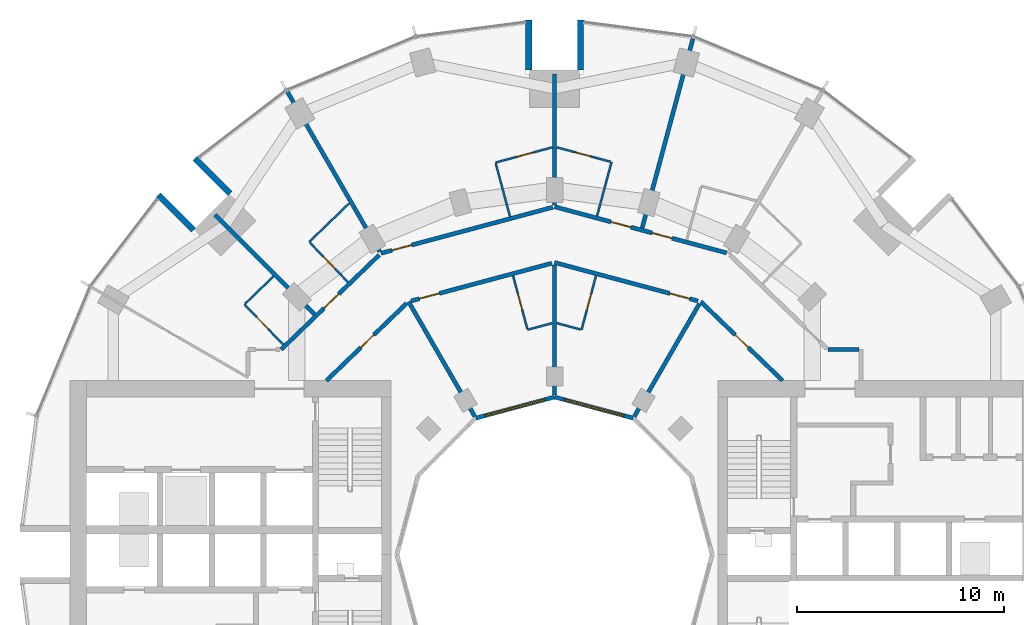
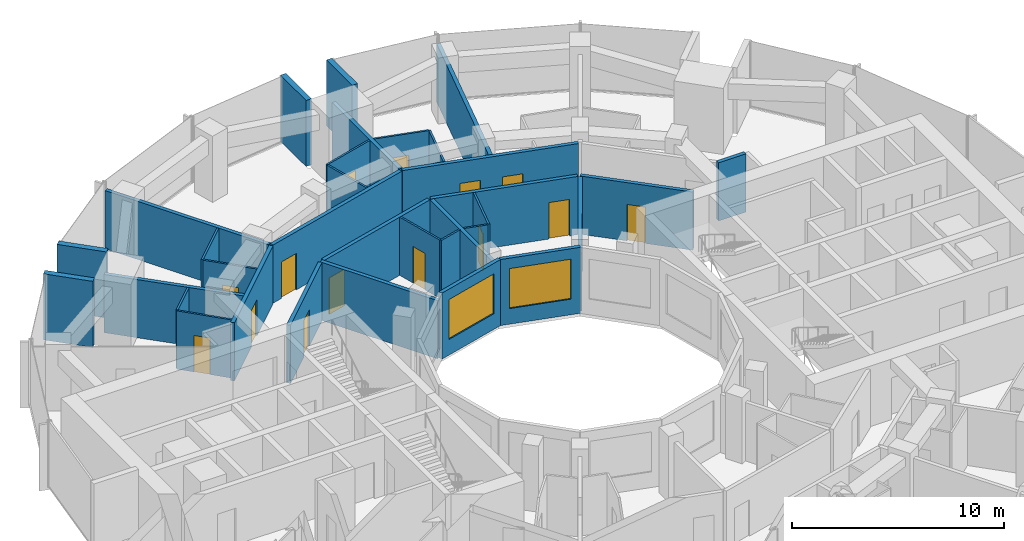
# One storey, part 12 of 15: 33 walls, 14 doors, 2 windows, 16 openings.
"""IFC4 building model written with IfcOpenShell, lengths in metres."""

from ifc_helpers import new_model, si_unit, direction, frame, frame_2d, origin, place, context, subcontext, project, spatial, rectangle, extrude, material, layer, layer_set, type_object, element, fill, save


model = new_model("IFC4")

# Units and contexts
model_context = context("Model", 3, precision=1e-05, world=origin(), true_north=direction((0.0, 1.0)))
body_context = subcontext(model_context, "Body", "Model", "MODEL_VIEW")
ifc_project = project(units=[si_unit("LENGTHUNIT", "METRE"), si_unit("AREAUNIT", "SQUARE_METRE"), si_unit("VOLUMEUNIT", "CUBIC_METRE"), si_unit("PLANEANGLEUNIT", "RADIAN"), si_unit("MASSUNIT", "GRAM", prefix="KILO")], contexts=[model_context])

# Site, building, storey
site_placement = place(None, origin())
site = spatial("IfcSite", under=ifc_project, at=site_placement, CompositionType="ELEMENT")
building_placement = place(site_placement, origin())
building = spatial("IfcBuilding", under=site, at=building_placement, Name="Torre Brocal", CompositionType="ELEMENT")
storey_placement = place(building_placement, frame((0.0, 0.0, 59.199951171875)))
storey = spatial("IfcBuildingStorey", under=building, at=storey_placement, Name="L13", CompositionType="ELEMENT", Elevation=59.199951171875)

# Walls
ifc_material_1 = material(Name="Concrete C80", Category="concrete")
ifc_layer_1 = layer(ifc_material_1, 0.300048828125)
ifc_layer_set_1 = layer_set([ifc_layer_1], Name="Concrete C80")
wall_type_1 = type_object("IfcWallType", Name="NOTCH RETURN WALL 300 C80", PredefinedType="NOTDEFINED", material=ifc_layer_set_1)
for number, where, z_axis, x_axis, name in (
    (1, (81.25, 98.39990234375, 0.0), (0.0, 0.0, 1.0), (0.0, 1.0, 0.0), "NOTCH RETURN WALL"),
    (2, (78.75, 98.39990234375, 0.0), (0.0, 0.0, 1.0), (0.0, 1.0, 0.0), "NOTCH RETURN WALL"),
    (3, (64.337646484375, 92.43017578125, 0.0), (0.0, 0.0, 1.0), (-0.707106781187, 0.707106781187, 0.0), "NOTCH RETURN WALL"),
    (4, (62.56982421875, 90.662353515625, 0.0), (0.0, 0.0, 1.0), (-0.707106781187, 0.707106781187, 0.0), "NOTCH RETURN WALL"),
):
    element("IfcWall", number, at=place(storey_placement, frame(where, z_axis=z_axis, x_axis=x_axis)), inside=storey, type_object=wall_type_1, Name=name, PredefinedType="NOTDEFINED", context=body_context, shape_type="SweptSolid", body=[
        extrude(rectangle(XDim=2.415771484375, YDim=0.300048828125, at=frame_2d((1.2080078125, 0.0))), origin(), (0.0, 0.0, 1.0), 3.800048828125),
    ])
ifc_material_2 = material(Name="Gypsum board", Category="Gypsum")
ifc_layer_2 = layer(ifc_material_2, 0.10009765625)
ifc_layer_set_2 = layer_set([ifc_layer_2], Name="Gypsum board")
wall_type_2 = type_object("IfcWallType", Name="PARTITION 100", PredefinedType="PARTITIONING", material=ifc_layer_set_2)
wall_1_placement = place(storey_placement, frame((65.058837890625, 87.11376953125, 0.0), z_axis=(0.0, 0.0, 1.0), x_axis=(0.719715847356, 0.694268751324, 0.0)))
element("IfcWall", 5, at=wall_1_placement, inside=storey, type_object=wall_type_2, Name="BATHROOM WALL", PredefinedType="PARTITIONING", context=body_context, shape_type="SweptSolid", body=[
    extrude(rectangle(XDim=1.899658203125, YDim=0.10009765625, at=frame_2d((0.94970703125, 0.0))), origin(), (0.0, 0.0, 1.0), 3.35009765625),
])

# Wall, opening, door
wall_2_placement = place(storey_placement, frame((65.02294921875, 87.0791015625, 0.0), z_axis=(0.0, 0.0, 1.0), x_axis=(0.694287838235, -0.719697434815, 0.0)))
wall_2 = element("IfcWall", 6, at=wall_2_placement, inside=storey, type_object=wall_type_2, Name="BATHROOM WALL", PredefinedType="PARTITIONING", context=body_context, shape_type="SweptSolid", body=[
    extrude(rectangle(XDim=2.699951171875, YDim=0.10009765625, at=frame_2d((1.35009765625, 0.0))), origin(), (0.0, 0.0, 1.0), 3.35009765625),
])
opening_1_placement = place(wall_2_placement, frame((0.849853515625, 0.0, 0.0)))
opening_1 = element("IfcOpeningElement", 7, at=opening_1_placement, cuts=wall_2, Name="Opening H03-D12", PredefinedType="OPENING", context=body_context, shape_type="SweptSolid", body=[
    extrude(rectangle(XDim=0.800048828125, YDim=2.10009765625, at=frame_2d((0.39990234375, 1.050048828125))), frame((0.0, 0.06005859375, 0.0), z_axis=(0.0, -1.0, 0.0), x_axis=(1.0, 0.0, 0.0)), (0.0, 0.0, 1.0), 0.1201171875),
])
ifc_material_3 = material(Name="Timber", Category="wood")
door_type_1 = type_object("IfcDoorType", Name="BATHROOM DOOR 800X2100", OperationType="SINGLE_SWING_LEFT", PredefinedType="DOOR", material=ifc_material_3)
door_1_placement = place(opening_1_placement, origin())
door_1 = element("IfcDoor", 8, at=door_1_placement, inside=storey, type_object=door_type_1, Name="H03-D12", OperationType="SINGLE_SWING_LEFT", OverallHeight=2.10009765625, OverallWidth=0.800048828125, PredefinedType="DOOR", context=body_context, shape_type="SweptSolid", body=[
    extrude(rectangle(XDim=0.800048828125, YDim=2.10009765625, at=frame_2d((0.39990234375, 1.050048828125))), frame((0.0, 0.02490234375, 0.0), z_axis=(0.0, -1.0, 0.0), x_axis=(1.0, 0.0, 0.0)), (0.0, 0.0, 1.0), 0.050048828125),
])
fill(opening_1, door_1)

wall_3_placement = place(storey_placement, frame((68.184814453125, 90.06005859375, 0.0), z_axis=(0.0, 0.0, 1.0), x_axis=(0.69446127412, -0.719530081892, 0.0)))
wall_3 = element("IfcWall", 9, at=wall_3_placement, inside=storey, type_object=wall_type_2, Name="BATHROOM WALL", PredefinedType="PARTITIONING", context=body_context, shape_type="SweptSolid", body=[
    extrude(rectangle(XDim=2.64892578125, YDim=0.10009765625, at=frame_2d((1.324462890625, 0.0))), origin(), (0.0, 0.0, 1.0), 3.35009765625),
])
opening_2_placement = place(wall_3_placement, frame((0.94970703125, 0.0, 0.0)))
opening_2 = element("IfcOpeningElement", 10, at=opening_2_placement, cuts=wall_3, Name="Opening H03-D10", PredefinedType="OPENING", context=body_context, shape_type="SweptSolid", body=[
    extrude(rectangle(XDim=0.800048828125, YDim=2.10009765625, at=frame_2d((0.39990234375, 1.050048828125))), frame((0.0, 0.06005859375, 0.0), z_axis=(0.0, -1.0, 0.0), x_axis=(1.0, 0.0, 0.0)), (0.0, 0.0, 1.0), 0.1201171875),
])
door_2_placement = place(opening_2_placement, origin())
door_2 = element("IfcDoor", 11, at=door_2_placement, inside=storey, type_object=door_type_1, Name="H03-D10", OperationType="SINGLE_SWING_RIGHT", OverallHeight=2.10009765625, OverallWidth=0.800048828125, PredefinedType="DOOR", context=body_context, shape_type="SweptSolid", body=[
    extrude(rectangle(XDim=0.800048828125, YDim=2.10009765625, at=frame_2d((0.39990234375, 1.050048828125))), frame((0.0, 0.02490234375, 0.0), z_axis=(0.0, -1.0, 0.0), x_axis=(1.0, 0.0, 0.0)), (0.0, 0.0, 1.0), 0.050048828125),
])
fill(opening_2, door_2)

# Walls
wall_4_placement = place(storey_placement, frame((68.150146484375, 90.095947265625, 0.0), z_axis=(0.0, 0.0, 1.0), x_axis=(0.719667544954, 0.694318820672, 0.0)))
element("IfcWall", 12, at=wall_4_placement, inside=storey, type_object=wall_type_2, Name="BATHROOM WALL", PredefinedType="PARTITIONING", context=body_context, shape_type="SweptSolid", body=[
    extrude(rectangle(XDim=2.68701171875, YDim=0.10009765625, at=frame_2d((1.343505859375, 0.0))), origin(), (0.0, 0.0, 1.0), 3.35009765625),
])
wall_5_placement = place(storey_placement, frame((77.161865234375, 93.8828125, 0.0), z_axis=(0.0, 0.0, 1.0), x_axis=(0.258998589493, -0.965877699629, 0.0)))
element("IfcWall", 13, at=wall_5_placement, inside=storey, type_object=wall_type_2, Name="BATHROOM WALL", PredefinedType="PARTITIONING", context=body_context, shape_type="SweptSolid", body=[
    extrude(rectangle(XDim=2.649658203125, YDim=0.10009765625, at=frame_2d((1.32470703125, 0.0))), origin(), (0.0, 0.0, 1.0), 3.35009765625),
])

# Wall, opening, door
wall_6_placement = place(storey_placement, frame((77.14892578125, 93.930908203125, 0.0), z_axis=(0.0, 0.0, 1.0), x_axis=(0.965916219953, 0.258854893776, 0.0)))
wall_6 = element("IfcWall", 14, at=wall_6_placement, inside=storey, type_object=wall_type_2, Name="BATHROOM WALL", PredefinedType="PARTITIONING", context=body_context, shape_type="SweptSolid", body=[
    extrude(rectangle(XDim=2.841796875, YDim=0.10009765625, at=frame_2d((1.4208984375, 0.0))), origin(), (0.0, 0.0, 1.0), 3.35009765625),
])
opening_3_placement = place(wall_6_placement, frame((1.07568359375, 0.0, 0.0)))
opening_3 = element("IfcOpeningElement", 15, at=opening_3_placement, cuts=wall_6, Name="Opening H03-D08", PredefinedType="OPENING", context=body_context, shape_type="SweptSolid", body=[
    extrude(rectangle(XDim=0.800048828125, YDim=2.10009765625, at=frame_2d((0.39990234375, 1.050048828125))), frame((0.0, 0.06005859375, 0.0), z_axis=(0.0, -1.0, 0.0), x_axis=(1.0, 0.0, 0.0)), (0.0, 0.0, 1.0), 0.1201171875),
])
door_3_placement = place(opening_3_placement, frame((0.800048828125, 0.0, 0.0), z_axis=(0.0, 0.0, 1.0), x_axis=(-1.0, 0.0, 0.0)))
door_3 = element("IfcDoor", 16, at=door_3_placement, inside=storey, type_object=door_type_1, Name="H03-D08", OperationType="SINGLE_SWING_LEFT", OverallHeight=2.10009765625, OverallWidth=0.800048828125, PredefinedType="DOOR", context=body_context, shape_type="SweptSolid", body=[
    extrude(rectangle(XDim=0.800048828125, YDim=2.10009765625, at=frame_2d((0.39990234375, 1.050048828125))), frame((0.0, 0.02490234375, 0.0), z_axis=(0.0, -1.0, 0.0), x_axis=(1.0, 0.0, 0.0)), (0.0, 0.0, 1.0), 0.050048828125),
])
fill(opening_3, door_3)

wall_7_placement = place(storey_placement, frame((77.997802734375, 88.46337890625, 0.0), z_axis=(0.0, 0.0, 1.0), x_axis=(0.258677737588, -0.965963678446, 0.0)))
wall_7 = element("IfcWall", 17, at=wall_7_placement, inside=storey, type_object=wall_type_2, Name="BATHROOM WALL", PredefinedType="PARTITIONING", context=body_context, shape_type="SweptSolid", body=[
    extrude(rectangle(XDim=2.649169921875, YDim=0.10009765625, at=frame_2d((1.32470703125, 0.0))), origin(), (0.0, 0.0, 1.0), 3.35009765625),
])
opening_4_placement = place(wall_7_placement, frame((0.899658203125, 0.0, 0.0)))
opening_4 = element("IfcOpeningElement", 18, at=opening_4_placement, cuts=wall_7, Name="Opening H03-D18", PredefinedType="OPENING", context=body_context, shape_type="SweptSolid", body=[
    extrude(rectangle(XDim=0.800048828125, YDim=2.10009765625, at=frame_2d((0.39990234375, 1.050048828125))), frame((0.0, 0.06005859375, 0.0), z_axis=(0.0, -1.0, 0.0), x_axis=(1.0, 0.0, 0.0)), (0.0, 0.0, 1.0), 0.1201171875),
])
door_4_placement = place(opening_4_placement, origin())
door_4 = element("IfcDoor", 19, at=door_4_placement, inside=storey, type_object=door_type_1, Name="H03-D18", OperationType="SINGLE_SWING_LEFT", OverallHeight=2.10009765625, OverallWidth=0.800048828125, PredefinedType="DOOR", context=body_context, shape_type="SweptSolid", body=[
    extrude(rectangle(XDim=0.800048828125, YDim=2.10009765625, at=frame_2d((0.39990234375, 1.050048828125))), frame((0.0, 0.02490234375, 0.0), z_axis=(0.0, -1.0, 0.0), x_axis=(1.0, 0.0, 0.0)), (0.0, 0.0, 1.0), 0.050048828125),
])
fill(opening_4, door_4)

# Walls
wall_8_placement = place(storey_placement, frame((78.696044921875, 85.85595703125, 0.0), z_axis=(0.0, 0.0, 1.0), x_axis=(0.966002513606, 0.258532674351, 0.0)))
element("IfcWall", 20, at=wall_8_placement, inside=storey, type_object=wall_type_2, Name="BATHROOM WALL", PredefinedType="PARTITIONING", context=body_context, shape_type="SweptSolid", body=[
    extrude(rectangle(XDim=1.239990234375, YDim=0.10009765625, at=frame_2d((0.6201171875, 0.0))), origin(), (0.0, 0.0, 1.0), 3.35009765625),
])
wall_9_placement = place(storey_placement, frame((80.106201171875, 86.176513671875, 0.0), z_axis=(0.0, 0.0, 1.0), x_axis=(0.966002973184, -0.258530957139, 0.0)))
element("IfcWall", 21, at=wall_9_placement, inside=storey, type_object=wall_type_2, Name="BATHROOM WALL", PredefinedType="PARTITIONING", context=body_context, shape_type="SweptSolid", body=[
    extrude(rectangle(XDim=1.18994140625, YDim=0.10009765625, at=frame_2d((0.594970703125, 0.0))), origin(), (0.0, 0.0, 1.0), 3.35009765625),
])

# Wall, opening, door
wall_10_placement = place(storey_placement, frame((80.106201171875, 94.666748046875, 0.0), z_axis=(0.0, 0.0, 1.0), x_axis=(0.965904298007, -0.258899376382, 0.0)))
wall_10 = element("IfcWall", 22, at=wall_10_placement, inside=storey, type_object=wall_type_2, Name="BATHROOM WALL", PredefinedType="PARTITIONING", context=body_context, shape_type="SweptSolid", body=[
    extrude(rectangle(XDim=2.6904296875, YDim=0.10009765625, at=frame_2d((1.34521484375, 0.0))), origin(), (0.0, 0.0, 1.0), 3.35009765625),
])
opening_5_placement = place(wall_10_placement, frame((0.9150390625, 0.0, 0.0)))
opening_5 = element("IfcOpeningElement", 23, at=opening_5_placement, cuts=wall_10, Name="Opening H03-D06", PredefinedType="OPENING", context=body_context, shape_type="SweptSolid", body=[
    extrude(rectangle(XDim=0.800048828125, YDim=2.10009765625, at=frame_2d((0.39990234375, 1.050048828125))), frame((0.0, 0.06005859375, 0.0), z_axis=(0.0, -1.0, 0.0), x_axis=(1.0, 0.0, 0.0)), (0.0, 0.0, 1.0), 0.1201171875),
])
door_5_placement = place(opening_5_placement, frame((0.800048828125, 0.0, 0.0), z_axis=(0.0, 0.0, 1.0), x_axis=(-1.0, 0.0, 0.0)))
door_5 = element("IfcDoor", 24, at=door_5_placement, inside=storey, type_object=door_type_1, Name="H03-D06", OperationType="SINGLE_SWING_RIGHT", OverallHeight=2.10009765625, OverallWidth=0.800048828125, PredefinedType="DOOR", context=body_context, shape_type="SweptSolid", body=[
    extrude(rectangle(XDim=0.800048828125, YDim=2.10009765625, at=frame_2d((0.39990234375, 1.050048828125))), frame((0.0, 0.02490234375, 0.0), z_axis=(0.0, -1.0, 0.0), x_axis=(1.0, 0.0, 0.0)), (0.0, 0.0, 1.0), 0.050048828125),
])
fill(opening_5, door_5)

wall_11_placement = place(storey_placement, frame((81.303955078125, 85.85595703125, 0.0), z_axis=(0.0, 0.0, 1.0), x_axis=(0.25867580527, 0.965964195904, 0.0)))
wall_11 = element("IfcWall", 25, at=wall_11_placement, inside=storey, type_object=wall_type_2, Name="BATHROOM WALL", PredefinedType="PARTITIONING", context=body_context, shape_type="SweptSolid", body=[
    extrude(rectangle(XDim=2.69921875, YDim=0.10009765625, at=frame_2d((1.349609375, 0.0))), origin(), (0.0, 0.0, 1.0), 3.35009765625),
])
opening_6_placement = place(wall_11_placement, frame((0.99951171875, 0.0, 0.0)))
opening_6 = element("IfcOpeningElement", 26, at=opening_6_placement, cuts=wall_11, Name="Opening H03-D16", PredefinedType="OPENING", context=body_context, shape_type="SweptSolid", body=[
    extrude(rectangle(XDim=0.800048828125, YDim=2.10009765625, at=frame_2d((0.39990234375, 1.050048828125))), frame((0.0, 0.06005859375, 0.0), z_axis=(0.0, -1.0, 0.0), x_axis=(1.0, 0.0, 0.0)), (0.0, 0.0, 1.0), 0.1201171875),
])
door_6_placement = place(opening_6_placement, origin())
door_6 = element("IfcDoor", 27, at=door_6_placement, inside=storey, type_object=door_type_1, Name="H03-D16", OperationType="SINGLE_SWING_RIGHT", OverallHeight=2.10009765625, OverallWidth=0.800048828125, PredefinedType="DOOR", context=body_context, shape_type="SweptSolid", body=[
    extrude(rectangle(XDim=0.800048828125, YDim=2.10009765625, at=frame_2d((0.39990234375, 1.050048828125))), frame((0.0, 0.02490234375, 0.0), z_axis=(0.0, -1.0, 0.0), x_axis=(1.0, 0.0, 0.0)), (0.0, 0.0, 1.0), 0.050048828125),
])
fill(opening_6, door_6)

# Walls
wall_12_placement = place(storey_placement, frame((82.053955078125, 91.349609375, 0.0), z_axis=(0.0, 0.0, 1.0), x_axis=(0.258928960762, 0.965896367774, 0.0)))
element("IfcWall", 28, at=wall_12_placement, inside=storey, type_object=wall_type_2, Name="BATHROOM WALL", PredefinedType="PARTITIONING", context=body_context, shape_type="SweptSolid", body=[
    extrude(rectangle(XDim=2.699462890625, YDim=0.10009765625, at=frame_2d((1.349609375, 0.0))), origin(), (0.0, 0.0, 1.0), 3.35009765625),
])
ifc_material_4 = material(Name="Gypsum board", Category="Gypsum")
ifc_layer_3 = layer(ifc_material_4, 0.199951171875)
ifc_layer_set_3 = layer_set([ifc_layer_3], Name="Gypsum board")
wall_type_3 = type_object("IfcWallType", Name="PARTITION 200 EI60", PredefinedType="PARTITIONING", material=ifc_layer_set_3)
wall_13_placement = place(storey_placement, frame((63.598388671875, 91.408203125, 0.0), z_axis=(0.0, 0.0, 1.0), x_axis=(0.706999146394, -0.707214399597, 0.0)))
element("IfcWall", 29, at=wall_13_placement, inside=storey, type_object=wall_type_3, Name="BATHROOM WALL", PredefinedType="PARTITIONING", context=body_context, shape_type="SweptSolid", body=[
    extrude(rectangle(XDim=6.80517578125, YDim=0.199951171875, at=frame_2d((3.402587890625, 0.0))), origin(), (0.0, 0.0, 1.0), 3.35009765625),
])

# Wall, opening, door
wall_14_placement = place(storey_placement, frame((66.796630859375, 84.900390625, 0.0), z_axis=(0.0, 0.0, 1.0), x_axis=(0.719692092412, 0.694293376116, 0.0)))
wall_14 = element("IfcWall", 30, at=wall_14_placement, inside=storey, type_object=wall_type_3, Name="GUESTROOM CORRIDOR WALL", PredefinedType="PARTITIONING", context=body_context, shape_type="SweptSolid", body=[
    extrude(rectangle(XDim=6.58447265625, YDim=0.199951171875, at=frame_2d((3.292236328125, 0.0))), origin(), (0.0, 0.0, 1.0), 3.35009765625),
])
opening_7_placement = place(wall_14_placement, frame((2.8662109375, 0.0, 0.0)))
opening_7 = element("IfcOpeningElement", 31, at=opening_7_placement, cuts=wall_14, Name="Opening H03-D09", PredefinedType="OPENING", context=body_context, shape_type="SweptSolid", body=[
    extrude(rectangle(XDim=1.0, YDim=2.10009765625, at=frame_2d((0.5, 1.050048828125))), frame((0.0, 0.10986328125, 0.0), z_axis=(0.0, -1.0, 0.0), x_axis=(1.0, 0.0, 0.0)), (0.0, 0.0, 1.0), 0.219970703125),
])
ifc_material_5 = material(Name="Timber", Category="wood")
door_type_2 = type_object("IfcDoorType", Name="FLAT ENTRY DOOR FD30S 1000X2100", OperationType="SINGLE_SWING_RIGHT", PredefinedType="DOOR", material=ifc_material_5)
door_7_placement = place(opening_7_placement, origin())
door_7 = element("IfcDoor", 32, at=door_7_placement, inside=storey, type_object=door_type_2, Name="H03-D09", OperationType="SINGLE_SWING_LEFT", OverallHeight=2.10009765625, OverallWidth=1.0, PredefinedType="DOOR", context=body_context, shape_type="SweptSolid", body=[
    extrude(rectangle(XDim=1.0, YDim=2.10009765625, at=frame_2d((0.5, 1.050048828125))), frame((0.0, 0.02490234375, 0.0), z_axis=(0.0, -1.0, 0.0), x_axis=(1.0, 0.0, 0.0)), (0.0, 0.0, 1.0), 0.050048828125),
])
fill(opening_7, door_7)

# Wall
wall_15_placement = place(storey_placement, frame((67.102783203125, 97.34228515625, 0.0), z_axis=(0.0, 0.0, 1.0), x_axis=(0.499906738326, -0.866079241742, 0.0)))
element("IfcWall", 33, at=wall_15_placement, inside=storey, type_object=wall_type_3, Name="BATHROOM WALL", PredefinedType="PARTITIONING", context=body_context, shape_type="SweptSolid", body=[
    extrude(rectangle(XDim=8.906982421875, YDim=0.199951171875, at=frame_2d((4.45361328125, 0.0))), origin(), (0.0, 0.0, 1.0), 3.35009765625),
])

# Wall, opening, door
wall_16_placement = place(storey_placement, frame((68.987060546875, 83.39990234375, 0.0), z_axis=(0.0, 0.0, 1.0), x_axis=(0.719547721855, 0.694442996922, 0.0)))
wall_16 = element("IfcWall", 34, at=wall_16_placement, inside=storey, type_object=wall_type_3, Name="CORRIDOR WALL", PredefinedType="PARTITIONING", context=body_context, shape_type="SweptSolid", body=[
    extrude(rectangle(XDim=5.3779296875, YDim=0.199951171875, at=frame_2d((2.68896484375, 0.0))), origin(), (0.0, 0.0, 1.0), 3.35009765625),
])
opening_8_placement = place(wall_16_placement, frame((2.2939453125, 0.0, 0.0)))
opening_8 = element("IfcOpeningElement", 35, at=opening_8_placement, cuts=wall_16, Name="Opening H03-D19", PredefinedType="OPENING", context=body_context, shape_type="SweptSolid", body=[
    extrude(rectangle(XDim=0.89990234375, YDim=2.10009765625, at=frame_2d((0.449951171875, 1.050048828125))), frame((0.0, 0.10986328125, 0.0), z_axis=(0.0, -1.0, 0.0), x_axis=(1.0, 0.0, 0.0)), (0.0, 0.0, 1.0), 0.219970703125),
])
ifc_material_6 = material(Name="Timber", Category="wood")
door_type_3 = type_object("IfcDoorType", Name="ROOM DOOR 900X2100", OperationType="SINGLE_SWING_LEFT", PredefinedType="DOOR", material=ifc_material_6)
door_8_placement = place(opening_8_placement, frame((0.89990234375, 0.0, 0.0), z_axis=(0.0, 0.0, 1.0), x_axis=(-1.0, 0.0, 0.0)))
door_8 = element("IfcDoor", 36, at=door_8_placement, inside=storey, type_object=door_type_3, Name="H03-D19", OperationType="SINGLE_SWING_RIGHT", OverallHeight=2.10009765625, OverallWidth=0.89990234375, PredefinedType="DOOR", context=body_context, shape_type="SweptSolid", body=[
    extrude(rectangle(XDim=0.89990234375, YDim=2.10009765625, at=frame_2d((0.449951171875, 1.050048828125))), frame((0.0, 0.02490234375, 0.0), z_axis=(0.0, -1.0, 0.0), x_axis=(1.0, 0.0, 0.0)), (0.0, 0.0, 1.0), 0.050048828125),
])
fill(opening_8, door_8)

wall_17_placement = place(storey_placement, frame((71.61376953125, 89.549560546875, 0.0), z_axis=(0.0, 0.0, 1.0), x_axis=(0.965967958589, 0.258661753994, 0.0)))
wall_17 = element("IfcWall", 37, at=wall_17_placement, inside=storey, type_object=wall_type_3, Name="GUESTROOM CORRIDOR WALL", PredefinedType="PARTITIONING", context=body_context, shape_type="SweptSolid", body=[
    extrude(rectangle(XDim=8.592041015625, YDim=0.199951171875, at=frame_2d((4.2958984375, 0.0))), origin(), (0.0, 0.0, 1.0), 3.35009765625),
])
opening_9_placement = place(wall_17_placement, frame((0.550048828125, 0.0, 0.0)))
opening_9 = element("IfcOpeningElement", 38, at=opening_9_placement, cuts=wall_17, Name="Opening H03-D07", PredefinedType="OPENING", context=body_context, shape_type="SweptSolid", body=[
    extrude(rectangle(XDim=1.0, YDim=2.10009765625, at=frame_2d((0.5, 1.050048828125))), frame((0.0, 0.10986328125, 0.0), z_axis=(0.0, -1.0, 0.0), x_axis=(1.0, 0.0, 0.0)), (0.0, 0.0, 1.0), 0.219970703125),
])
door_9_placement = place(opening_9_placement, origin())
door_9 = element("IfcDoor", 39, at=door_9_placement, inside=storey, type_object=door_type_2, Name="H03-D07", OperationType="SINGLE_SWING_LEFT", OverallHeight=2.10009765625, OverallWidth=1.0, PredefinedType="DOOR", context=body_context, shape_type="SweptSolid", body=[
    extrude(rectangle(XDim=1.0, YDim=2.10009765625, at=frame_2d((0.5, 1.050048828125))), frame((0.0, 0.02490234375, 0.0), z_axis=(0.0, -1.0, 0.0), x_axis=(1.0, 0.0, 0.0)), (0.0, 0.0, 1.0), 0.050048828125),
])
fill(opening_9, door_9)

wall_18_placement = place(storey_placement, frame((73.0712890625, 87.2470703125, 0.0), z_axis=(0.0, 0.0, 1.0), x_axis=(0.965931651205, 0.258797305243, 0.0)))
wall_18 = element("IfcWall", 40, at=wall_18_placement, inside=storey, type_object=wall_type_3, Name="GUESTROOM CORRIDOR WALL", PredefinedType="PARTITIONING", context=body_context, shape_type="SweptSolid", body=[
    extrude(rectangle(XDim=7.043212890625, YDim=0.199951171875, at=frame_2d((3.521484375, 0.0))), origin(), (0.0, 0.0, 1.0), 3.35009765625),
])
opening_10_placement = place(wall_18_placement, frame((0.409912109375, 0.0, 0.0)))
opening_10 = element("IfcOpeningElement", 41, at=opening_10_placement, cuts=wall_18, Name="Opening H03-D17", PredefinedType="OPENING", context=body_context, shape_type="SweptSolid", body=[
    extrude(rectangle(XDim=1.0, YDim=2.10009765625, at=frame_2d((0.5, 1.050048828125))), frame((0.0, 0.10986328125, 0.0), z_axis=(0.0, -1.0, 0.0), x_axis=(1.0, 0.0, 0.0)), (0.0, 0.0, 1.0), 0.219970703125),
])
door_10_placement = place(opening_10_placement, frame((1.0, 0.0, 0.0), z_axis=(0.0, 0.0, 1.0), x_axis=(-1.0, 0.0, 0.0)))
door_10 = element("IfcDoor", 42, at=door_10_placement, inside=storey, type_object=door_type_2, Name="H03-D17", OperationType="SINGLE_SWING_RIGHT", OverallHeight=2.10009765625, OverallWidth=1.0, PredefinedType="DOOR", context=body_context, shape_type="SweptSolid", body=[
    extrude(rectangle(XDim=1.0, YDim=2.10009765625, at=frame_2d((0.5, 1.050048828125))), frame((0.0, 0.02490234375, 0.0), z_axis=(0.0, -1.0, 0.0), x_axis=(1.0, 0.0, 0.0)), (0.0, 0.0, 1.0), 0.050048828125),
])
fill(opening_10, door_10)

# Walls
wall_19_placement = place(storey_placement, frame((72.94873046875, 87.21435546875, 0.0), z_axis=(0.0, 0.0, 1.0), x_axis=(0.499927021214, -0.866067534006, 0.0)))
element("IfcWall", 43, at=wall_19_placement, inside=storey, type_object=wall_type_3, Name="SERVICE ROOM WALL", PredefinedType="PARTITIONING", context=body_context, shape_type="SweptSolid", body=[
    extrude(rectangle(XDim=6.4052734375, YDim=0.199951171875, at=frame_2d((3.20263671875, 0.0))), origin(), (0.0, 0.0, 1.0), 3.35009765625),
])
wall_20_placement = place(storey_placement, frame((80.0, 82.698974609375, 0.0), z_axis=(0.0, 0.0, 1.0), x_axis=(0.0, 1.0, 0.0)))
element("IfcWall", 44, at=wall_20_placement, inside=storey, type_object=wall_type_3, Name="BATHROOM WALL", PredefinedType="PARTITIONING", context=body_context, shape_type="SweptSolid", body=[
    extrude(rectangle(XDim=6.275146484375, YDim=0.199951171875, at=frame_2d((3.1376953125, 0.0))), origin(), (0.0, 0.0, 1.0), 3.35009765625),
])

# Wall, opening, door
wall_21_placement = place(storey_placement, frame((80.0, 89.10400390625, 0.0), z_axis=(0.0, 0.0, 1.0), x_axis=(0.965856548257, -0.259077455964, 0.0)))
wall_21 = element("IfcWall", 45, at=wall_21_placement, inside=storey, type_object=wall_type_3, Name="GUESTROOM CORRIDOR WALL", PredefinedType="PARTITIONING", context=body_context, shape_type="SweptSolid", body=[
    extrude(rectangle(XDim=7.173095703125, YDim=0.199951171875, at=frame_2d((3.58642578125, 0.0))), origin(), (0.0, 0.0, 1.0), 3.35009765625),
])
opening_11_placement = place(wall_21_placement, frame((5.76318359375, 0.0, 0.0)))
opening_11 = element("IfcOpeningElement", 46, at=opening_11_placement, cuts=wall_21, Name="Opening H03-D15", PredefinedType="OPENING", context=body_context, shape_type="SweptSolid", body=[
    extrude(rectangle(XDim=1.0, YDim=2.10009765625, at=frame_2d((0.5, 1.050048828125))), frame((0.0, 0.10986328125, 0.0), z_axis=(0.0, -1.0, 0.0), x_axis=(1.0, 0.0, 0.0)), (0.0, 0.0, 1.0), 0.219970703125),
])
door_11_placement = place(opening_11_placement, frame((1.0, 0.0, 0.0), z_axis=(0.0, 0.0, 1.0), x_axis=(-1.0, 0.0, 0.0)))
door_11 = element("IfcDoor", 47, at=door_11_placement, inside=storey, type_object=door_type_2, Name="H03-D15", OperationType="SINGLE_SWING_LEFT", OverallHeight=2.10009765625, OverallWidth=1.0, PredefinedType="DOOR", context=body_context, shape_type="SweptSolid", body=[
    extrude(rectangle(XDim=1.0, YDim=2.10009765625, at=frame_2d((0.5, 1.050048828125))), frame((0.0, 0.02490234375, 0.0), z_axis=(0.0, -1.0, 0.0), x_axis=(1.0, 0.0, 0.0)), (0.0, 0.0, 1.0), 0.050048828125),
])
fill(opening_11, door_11)

# Wall
wall_22_placement = place(storey_placement, frame((80.0, 91.886962890625, 0.0), z_axis=(0.0, 0.0, 1.0), x_axis=(0.0, 1.0, 0.0)))
element("IfcWall", 48, at=wall_22_placement, inside=storey, type_object=wall_type_3, Name="BATHROOM WALL", PredefinedType="PARTITIONING", context=body_context, shape_type="SweptSolid", body=[
    extrude(rectangle(XDim=6.31201171875, YDim=0.199951171875, at=frame_2d((3.156005859375, 0.0))), origin(), (0.0, 0.0, 1.0), 3.35009765625),
])

# Wall, openings, doors
wall_23_placement = place(storey_placement, frame((80.000244140625, 91.796875, 0.0), z_axis=(0.0, 0.0, 1.0), x_axis=(0.965857042792, -0.259075612301, 0.0)))
wall_23 = element("IfcWall", 49, at=wall_23_placement, inside=storey, type_object=wall_type_3, Name="GUESTROOM CORRIDOR WALL", PredefinedType="PARTITIONING", context=body_context, shape_type="SweptSolid", body=[
    extrude(rectangle(XDim=8.601806640625, YDim=0.199951171875, at=frame_2d((4.30078125, 0.0))), origin(), (0.0, 0.0, 1.0), 3.35009765625),
])
opening_12_placement = place(wall_23_placement, frame((4.87744140625, 0.0, 0.0)))
opening_12 = element("IfcOpeningElement", 50, at=opening_12_placement, cuts=wall_23, Name="Opening H03-D03", PredefinedType="OPENING", context=body_context, shape_type="SweptSolid", body=[
    extrude(rectangle(XDim=1.0, YDim=2.10009765625, at=frame_2d((0.5, 1.050048828125))), frame((0.0, 0.10986328125, 0.0), z_axis=(0.0, -1.0, 0.0), x_axis=(1.0, 0.0, 0.0)), (0.0, 0.0, 1.0), 0.219970703125),
])
opening_13_placement = place(wall_23_placement, frame((2.816650390625, 0.0, 0.0)))
opening_13 = element("IfcOpeningElement", 51, at=opening_13_placement, cuts=wall_23, Name="Opening H03-D05", PredefinedType="OPENING", context=body_context, shape_type="SweptSolid", body=[
    extrude(rectangle(XDim=1.0, YDim=2.10009765625, at=frame_2d((0.5, 1.050048828125))), frame((0.0, 0.10986328125, 0.0), z_axis=(0.0, -1.0, 0.0), x_axis=(1.0, 0.0, 0.0)), (0.0, 0.0, 1.0), 0.219970703125),
])
door_12_placement = place(opening_12_placement, origin())
door_12 = element("IfcDoor", 52, at=door_12_placement, inside=storey, type_object=door_type_2, Name="H03-D03", OperationType="SINGLE_SWING_LEFT", OverallHeight=2.10009765625, OverallWidth=1.0, PredefinedType="DOOR", context=body_context, shape_type="SweptSolid", body=[
    extrude(rectangle(XDim=1.0, YDim=2.10009765625, at=frame_2d((0.5, 1.050048828125))), frame((0.0, 0.02490234375, 0.0), z_axis=(0.0, -1.0, 0.0), x_axis=(1.0, 0.0, 0.0)), (0.0, 0.0, 1.0), 0.050048828125),
])
fill(opening_12, door_12)
door_13_placement = place(opening_13_placement, origin())
door_13 = element("IfcDoor", 53, at=door_13_placement, inside=storey, type_object=door_type_2, Name="H03-D05", OperationType="SINGLE_SWING_RIGHT", OverallHeight=2.10009765625, OverallWidth=1.0, PredefinedType="DOOR", context=body_context, shape_type="SweptSolid", body=[
    extrude(rectangle(XDim=1.0, YDim=2.10009765625, at=frame_2d((0.5, 1.050048828125))), frame((0.0, 0.02490234375, 0.0), z_axis=(0.0, -1.0, 0.0), x_axis=(1.0, 0.0, 0.0)), (0.0, 0.0, 1.0), 0.050048828125),
])
fill(opening_13, door_13)

# Walls
wall_24_placement = place(storey_placement, frame((83.851318359375, 81.665771484375, 0.0), z_axis=(0.0, 0.0, 1.0), x_axis=(0.500253653624, 0.865878907259, 0.0)))
element("IfcWall", 54, at=wall_24_placement, inside=storey, type_object=wall_type_3, Name="SERVICE ROOM WALL", PredefinedType="PARTITIONING", context=body_context, shape_type="SweptSolid", body=[
    extrude(rectangle(XDim=6.285400390625, YDim=0.199951171875, at=frame_2d((3.142578125, 0.0))), origin(), (0.0, 0.0, 1.0), 3.35009765625),
])
wall_25_placement = place(storey_placement, frame((84.23046875, 90.76611328125, 0.0), z_axis=(0.0, 0.0, 1.0), x_axis=(0.258967920341, 0.965885922992, 0.0)))
element("IfcWall", 55, at=wall_25_placement, inside=storey, type_object=wall_type_3, Name="PARTY PARTITION", PredefinedType="PARTITIONING", context=body_context, shape_type="SweptSolid", body=[
    extrude(rectangle(XDim=9.474609375, YDim=0.199951171875, at=frame_2d((4.7373046875, 0.0))), origin(), (0.0, 0.0, 1.0), 3.35009765625),
])

# Wall, opening, door
wall_26_placement = place(storey_placement, frame((87.06396484375, 87.2109375, 0.0), z_axis=(0.0, 0.0, 1.0), x_axis=(0.719562412484, -0.694427774891, 0.0)))
wall_26 = element("IfcWall", 56, at=wall_26_placement, inside=storey, type_object=wall_type_3, Name="CORRIDOR WALL", PredefinedType="PARTITIONING", context=body_context, shape_type="SweptSolid", body=[
    extrude(rectangle(XDim=5.488037109375, YDim=0.199951171875, at=frame_2d((2.744140625, 0.0))), origin(), (0.0, 0.0, 1.0), 3.35009765625),
])
opening_14_placement = place(wall_26_placement, frame((2.2939453125, 0.0, 0.0)))
opening_14 = element("IfcOpeningElement", 57, at=opening_14_placement, cuts=wall_26, Name="Opening H03-D14", PredefinedType="OPENING", context=body_context, shape_type="SweptSolid", body=[
    extrude(rectangle(XDim=0.89990234375, YDim=2.10009765625, at=frame_2d((0.449951171875, 1.050048828125))), frame((0.0, 0.10986328125, 0.0), z_axis=(0.0, -1.0, 0.0), x_axis=(1.0, 0.0, 0.0)), (0.0, 0.0, 1.0), 0.219970703125),
])
door_14_placement = place(opening_14_placement, frame((0.89990234375, 0.0, 0.0), z_axis=(0.0, 0.0, 1.0), x_axis=(-1.0, 0.0, 0.0)))
door_14 = element("IfcDoor", 58, at=door_14_placement, inside=storey, type_object=door_type_3, Name="H03-D14", OperationType="SINGLE_SWING_LEFT", OverallHeight=2.10009765625, OverallWidth=0.89990234375, PredefinedType="DOOR", context=body_context, shape_type="SweptSolid", body=[
    extrude(rectangle(XDim=0.89990234375, YDim=2.10009765625, at=frame_2d((0.449951171875, 1.050048828125))), frame((0.0, 0.02490234375, 0.0), z_axis=(0.0, -1.0, 0.0), x_axis=(1.0, 0.0, 0.0)), (0.0, 0.0, 1.0), 0.050048828125),
])
fill(opening_14, door_14)

# Wall
wall_27_placement = place(storey_placement, frame((93.2041015625, 84.89990234375, 0.0), z_axis=(0.0, 0.0, 1.0), x_axis=(1.0, 0.0, 0.0)))
element("IfcWall", 59, at=wall_27_placement, inside=storey, type_object=wall_type_3, Name="GUESTROOM CORRIDOR WALL", PredefinedType="PARTITIONING", context=body_context, shape_type="SweptSolid", body=[
    extrude(rectangle(XDim=1.495849609375, YDim=0.199951171875, at=frame_2d((0.748046875, 0.0))), origin(), (0.0, 0.0, 1.0), 3.35009765625),
])

# Wall, opening, window
ifc_material_7 = material(Name="Concrete C40", Category="concrete")
ifc_layer_4 = layer(ifc_material_7, 0.199951171875)
ifc_layer_set_4 = layer_set([ifc_layer_4], Name="Concrete C40")
wall_type_4 = type_object("IfcWallType", Name="WELL FACADE WALL 200", PredefinedType="NOTDEFINED", material=ifc_layer_set_4)
wall_28_placement = place(storey_placement, frame((83.8017578125, 81.5849609375, 0.0), z_axis=(0.0, 0.0, 1.0), x_axis=(-0.965933654434, 0.258789828301, 0.0)))
wall_28 = element("IfcWall", 60, at=wall_28_placement, inside=storey, type_object=wall_type_4, Name="WELL FACADE WALL", PredefinedType="NOTDEFINED", context=body_context, shape_type="SweptSolid", body=[
    extrude(rectangle(XDim=3.935791015625, YDim=0.199951171875, at=frame_2d((1.9677734375, 0.0))), origin(), (0.0, 0.0, 1.0), 3.800048828125),
])
opening_15_placement = place(wall_28_placement, frame((0.468017578125, 0.0, 0.89990234375)))
opening_15 = element("IfcOpeningElement", 61, at=opening_15_placement, cuts=wall_28, Name="Opening W1", PredefinedType="OPENING", context=body_context, shape_type="SweptSolid", body=[
    extrude(rectangle(XDim=3.0, YDim=2.300048828125, at=frame_2d((1.5, 1.14990234375))), frame((0.0, 0.10986328125, 0.0), z_axis=(0.0, -1.0, 0.0), x_axis=(1.0, 0.0, 0.0)), (0.0, 0.0, 1.0), 0.219970703125),
])
ifc_material_8 = material(Name="Aluminium and glass", Category="aluminium")
window_type = type_object("IfcWindowType", Name="WELL WINDOW 3000X2300", PartitioningType="SINGLE_PANEL", PredefinedType="WINDOW", material=ifc_material_8)
window_1_placement = place(opening_15_placement, origin())
window_1 = element("IfcWindow", 62, at=window_1_placement, inside=storey, type_object=window_type, Name="WELL WINDOW 3000X2300", OverallHeight=2.300048828125, OverallWidth=3.0, PartitioningType="SINGLE_PANEL", PredefinedType="WINDOW", context=body_context, shape_type="SweptSolid", body=[
    extrude(rectangle(XDim=3.0, YDim=2.300048828125, at=frame_2d((1.5, 1.14990234375))), frame((0.0, 0.030029296875, 0.0), z_axis=(0.0, -1.0, 0.0), x_axis=(1.0, 0.0, 0.0)), (0.0, 0.0, 1.0), 0.06005859375),
])
fill(opening_15, window_1)

wall_29_placement = place(storey_placement, frame((80.0, 82.603515625, 0.0), z_axis=(0.0, 0.0, 1.0), x_axis=(-0.965933654434, -0.258789828301, 0.0)))
wall_29 = element("IfcWall", 63, at=wall_29_placement, inside=storey, type_object=wall_type_4, Name="WELL FACADE WALL", PredefinedType="NOTDEFINED", context=body_context, shape_type="SweptSolid", body=[
    extrude(rectangle(XDim=3.935791015625, YDim=0.199951171875, at=frame_2d((1.9677734375, 0.0))), origin(), (0.0, 0.0, 1.0), 3.800048828125),
])
opening_16_placement = place(wall_29_placement, frame((0.468017578125, 0.0, 0.89990234375)))
opening_16 = element("IfcOpeningElement", 64, at=opening_16_placement, cuts=wall_29, Name="Opening W1", PredefinedType="OPENING", context=body_context, shape_type="SweptSolid", body=[
    extrude(rectangle(XDim=3.0, YDim=2.300048828125, at=frame_2d((1.5, 1.14990234375))), frame((0.0, 0.10986328125, 0.0), z_axis=(0.0, -1.0, 0.0), x_axis=(1.0, 0.0, 0.0)), (0.0, 0.0, 1.0), 0.219970703125),
])
window_2_placement = place(opening_16_placement, origin())
window_2 = element("IfcWindow", 65, at=window_2_placement, inside=storey, type_object=window_type, Name="WELL WINDOW 3000X2300", OverallHeight=2.300048828125, OverallWidth=3.0, PartitioningType="SINGLE_PANEL", PredefinedType="WINDOW", context=body_context, shape_type="SweptSolid", body=[
    extrude(rectangle(XDim=3.0, YDim=2.300048828125, at=frame_2d((1.5, 1.14990234375))), frame((0.0, 0.030029296875, 0.0), z_axis=(0.0, -1.0, 0.0), x_axis=(1.0, 0.0, 0.0)), (0.0, 0.0, 1.0), 0.06005859375),
])
fill(opening_16, window_2)

save(model, "model.ifc")
